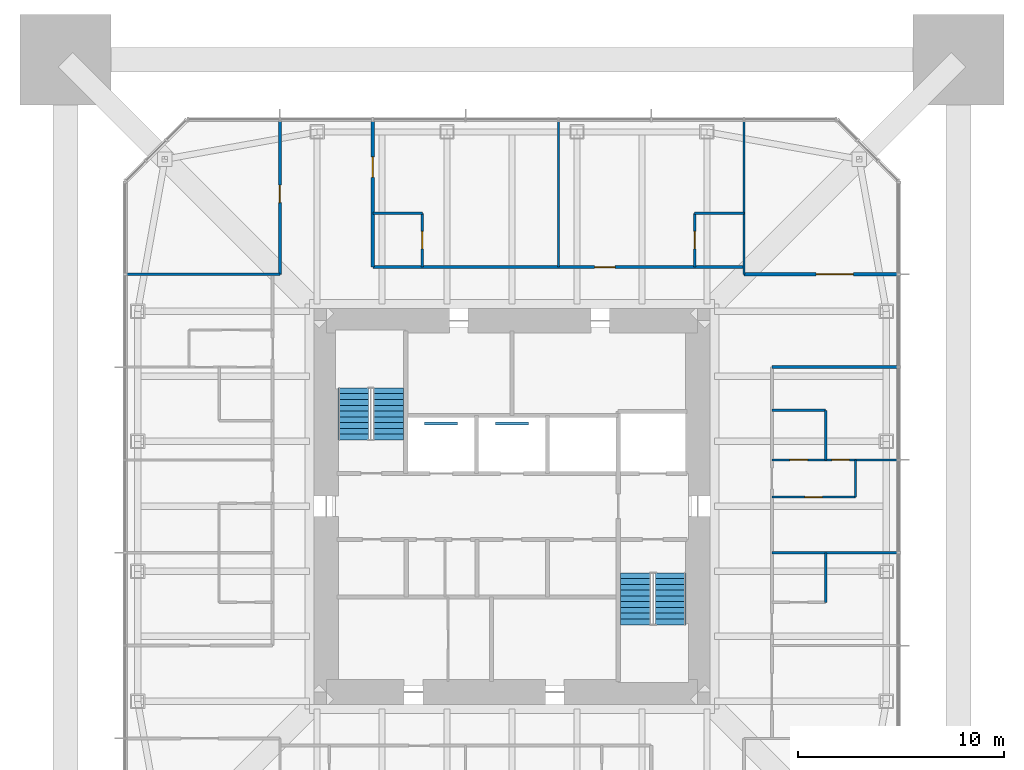
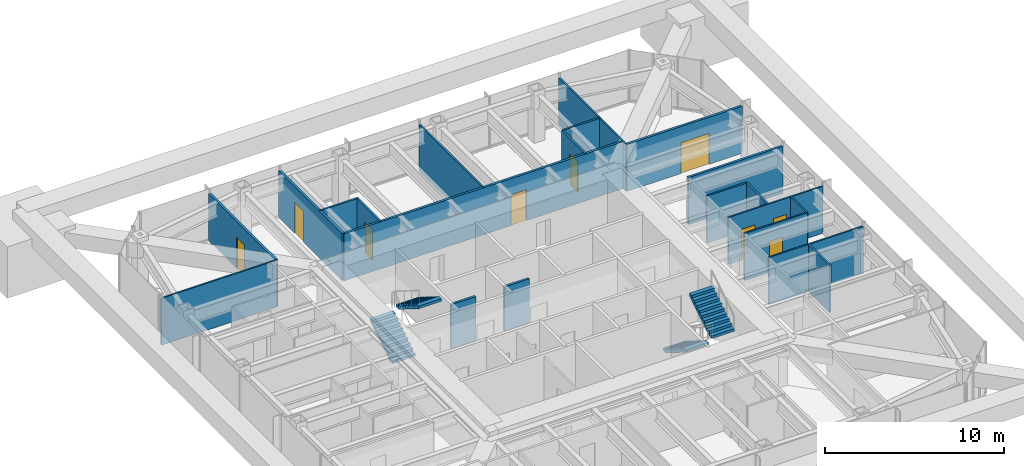
# One storey, part 12 of 15: 19 walls, 9 doors, 4 stair flights, 2 discrete accessories, 9 openings, 2 elements without a shape of their own.
"""IFC4 building model written with IfcOpenShell, lengths in metres."""

from ifc_helpers import new_model, si_unit, direction, frame, frame_2d, origin, origin_2d, place, context, subcontext, project, spatial, polyline, rectangle, outline, extrude, material, layer, layer_set, constituent, constituent_set, type_object, element, fill, aggregate, save


model = new_model("IFC4")

# Units and contexts
model_context = context("Model", 3, precision=1e-05, world=origin(), true_north=direction((0.0, 1.0)))
body_context = subcontext(model_context, "Body", "Model", "MODEL_VIEW")
ifc_project = project(units=[si_unit("LENGTHUNIT", "METRE"), si_unit("AREAUNIT", "SQUARE_METRE"), si_unit("VOLUMEUNIT", "CUBIC_METRE"), si_unit("PLANEANGLEUNIT", "RADIAN"), si_unit("MASSUNIT", "GRAM", prefix="KILO")], contexts=[model_context])

# Site, building, storey
site_placement = place(None, origin())
site = spatial("IfcSite", under=ifc_project, at=site_placement, CompositionType="ELEMENT")
building_placement = place(site_placement, origin())
building = spatial("IfcBuilding", under=site, at=building_placement, Name="Iwan Alto Co-Living Towers", CompositionType="ELEMENT")
storey_placement = place(building_placement, frame((0.0, 0.0, 205.5)))
storey = spatial("IfcBuildingStorey", under=building, at=storey_placement, Name="L56", CompositionType="ELEMENT", Elevation=205.5)

# Wall
ifc_material_1 = material(Name="Gypsum board")
ifc_layer_1 = layer(ifc_material_1, 0.02490234375, Name="Board", Category="Finish")
ifc_material_2 = material(Name="Steel ASTM A1003 ST33H cold-formed studs", Category="steel")
ifc_layer_2 = layer(ifc_material_2, 0.10009765625, Name="Studs", Category="Framing")
ifc_layer_3 = layer(ifc_material_1, 0.02490234375, Name="Board", Category="Finish")
ifc_layer_set_1 = layer_set([ifc_layer_1, ifc_layer_2, ifc_layer_3], Name="CORRIDOR WALL 150")
wall_type_1 = type_object("IfcWallType", Name="CORRIDOR WALL 150", PredefinedType="PARTITIONING", material=ifc_layer_set_1)
wall_1_placement = place(storey_placement, frame((12.60009765625, 6.75, 0.0), z_axis=(0.0, 0.0, 1.0), x_axis=(1.0, 0.0, 0.0)))
element("IfcWall", 1, at=wall_1_placement, inside=storey, type_object=wall_type_1, Name="Partition L56", PredefinedType="PARTITIONING", context=body_context, shape_type="SweptSolid", body=[
    extrude(rectangle(XDim=6.08984375, YDim=0.14990234375, at=frame_2d((3.044921875, 0.0))), origin(), (0.0, 0.0, 1.0), 3.199951171875),
])

# Wall, opening, door
wall_2_placement = place(storey_placement, frame((11.25, 11.25, 0.0), z_axis=(0.0, 0.0, 1.0), x_axis=(1.0, 0.0, 0.0)))
wall_2 = element("IfcWall", 2, at=wall_2_placement, inside=storey, type_object=wall_type_1, Name="Partition L56", PredefinedType="PARTITIONING", context=body_context, shape_type="SweptSolid", body=[
    extrude(rectangle(XDim=7.43994140625, YDim=0.14990234375, at=frame_2d((3.719970703125, 0.0))), origin(), (0.0, 0.0, 1.0), 3.199951171875),
])
opening_1_placement = place(wall_2_placement, frame((3.4951171875, 0.0, 0.0)))
opening_1 = element("IfcOpeningElement", 3, at=opening_1_placement, cuts=wall_2, Name="Opening D9", PredefinedType="OPENING", context=body_context, shape_type="SweptSolid", body=[
    extrude(rectangle(XDim=1.800048828125, YDim=2.10009765625, at=frame_2d((0.89990234375, 1.050048828125))), frame((0.0, 0.0849609375, 0.0), z_axis=(0.0, -1.0, 0.0), x_axis=(1.0, 0.0, 0.0)), (0.0, 0.0, 1.0), 0.169921875),
])
ifc_material_3 = material(Name="Steel frame with timber leaf", Category="steel")
door_type_1 = type_object("IfcDoorType", Name="LOUNGE DOOR FD30S 1800X2100", OperationType="DOUBLE_DOOR_SINGLE_SWING", PredefinedType="DOOR", material=ifc_material_3)
door_1_placement = place(opening_1_placement, origin())
door_1 = element("IfcDoor", 4, at=door_1_placement, inside=storey, type_object=door_type_1, Name="Study lounge door L56", OperationType="DOUBLE_DOOR_SINGLE_SWING", OverallHeight=2.10009765625, OverallWidth=1.800048828125, PredefinedType="DOOR", context=body_context, shape_type="SweptSolid", body=[
    extrude(rectangle(XDim=1.800048828125, YDim=2.10009765625, at=frame_2d((0.89990234375, 1.050048828125))), frame((0.0, 0.02490234375, 0.0), z_axis=(0.0, -1.0, 0.0), x_axis=(1.0, 0.0, 0.0)), (0.0, 0.0, 1.0), 0.050048828125),
])
fill(opening_1, door_1)

wall_3_placement = place(storey_placement, frame((-6.75, 11.60009765625, 0.0), z_axis=(0.0, 0.0, 1.0), x_axis=(1.0, 0.0, 0.0)))
wall_3 = element("IfcWall", 5, at=wall_3_placement, inside=storey, type_object=wall_type_1, Name="Partition L56", PredefinedType="PARTITIONING", context=body_context, shape_type="SweptSolid", body=[
    extrude(rectangle(XDim=18.0, YDim=0.14990234375, at=frame_2d((9.0, 0.0))), origin(), (0.0, 0.0, 1.0), 3.199951171875),
])
opening_2_placement = place(wall_3_placement, frame((10.75, 0.0, 0.0)))
opening_2 = element("IfcOpeningElement", 6, at=opening_2_placement, cuts=wall_3, Name="Opening D3", PredefinedType="OPENING", context=body_context, shape_type="SweptSolid", body=[
    extrude(rectangle(XDim=1.0, YDim=2.10009765625, at=frame_2d((0.5, 1.050048828125))), frame((0.0, 0.0849609375, 0.0), z_axis=(0.0, -1.0, 0.0), x_axis=(1.0, 0.0, 0.0)), (0.0, 0.0, 1.0), 0.169921875),
])
ifc_material_4 = material(Name="Steel frame with timber leaf", Category="steel")
door_type_2 = type_object("IfcDoorType", Name="FLAT ENTRANCE DOOR FD30S 1000X2100", OperationType="SINGLE_SWING_LEFT", PredefinedType="DOOR", material=ifc_material_4)
door_2_placement = place(opening_2_placement, origin())
door_2 = element("IfcDoor", 7, at=door_2_placement, inside=storey, type_object=door_type_2, Name="Studio door L56", OperationType="SINGLE_SWING_LEFT", OverallHeight=2.10009765625, OverallWidth=1.0, PredefinedType="DOOR", context=body_context, shape_type="SweptSolid", body=[
    extrude(rectangle(XDim=1.0, YDim=2.10009765625, at=frame_2d((0.5, 1.050048828125))), frame((0.0, 0.02490234375, 0.0), z_axis=(0.0, -1.0, 0.0), x_axis=(1.0, 0.0, 0.0)), (0.0, 0.0, 1.0), 0.050048828125),
])
fill(opening_2, door_2)

wall_4_placement = place(storey_placement, frame((-6.75, 11.60009765625, 0.0), z_axis=(0.0, 0.0, 1.0), x_axis=(0.0, 1.0, 0.0)))
wall_4 = element("IfcWall", 8, at=wall_4_placement, inside=storey, type_object=wall_type_1, Name="Partition L56", PredefinedType="PARTITIONING", context=body_context, shape_type="SweptSolid", body=[
    extrude(rectangle(XDim=7.08984375, YDim=0.14990234375, at=frame_2d((3.544921875, 0.0))), origin(), (0.0, 0.0, 1.0), 3.199951171875),
])
opening_3_placement = place(wall_4_placement, frame((4.344970703125, 0.0, 0.0)))
opening_3 = element("IfcOpeningElement", 9, at=opening_3_placement, cuts=wall_4, Name="Opening D3", PredefinedType="OPENING", context=body_context, shape_type="SweptSolid", body=[
    extrude(rectangle(XDim=1.0, YDim=2.10009765625, at=frame_2d((0.5, 1.050048828125))), frame((0.0, 0.0849609375, 0.0), z_axis=(0.0, -1.0, 0.0), x_axis=(1.0, 0.0, 0.0)), (0.0, 0.0, 1.0), 0.169921875),
])
door_3_placement = place(opening_3_placement, frame((1.0, 0.0, 0.0), z_axis=(0.0, 0.0, 1.0), x_axis=(-1.0, 0.0, 0.0)))
door_3 = element("IfcDoor", 10, at=door_3_placement, inside=storey, type_object=door_type_2, Name="Studio door L56", OperationType="SINGLE_SWING_RIGHT", OverallHeight=2.10009765625, OverallWidth=1.0, PredefinedType="DOOR", context=body_context, shape_type="SweptSolid", body=[
    extrude(rectangle(XDim=1.0, YDim=2.10009765625, at=frame_2d((0.5, 1.050048828125))), frame((0.0, 0.02490234375, 0.0), z_axis=(0.0, -1.0, 0.0), x_axis=(1.0, 0.0, 0.0)), (0.0, 0.0, 1.0), 0.050048828125),
])
fill(opening_3, door_3)

wall_5_placement = place(storey_placement, frame((-11.25, 11.25, 0.0), z_axis=(0.0, 0.0, 1.0), x_axis=(0.0, 1.0, 0.0)))
wall_5 = element("IfcWall", 11, at=wall_5_placement, inside=storey, type_object=wall_type_1, Name="Partition L56", PredefinedType="PARTITIONING", context=body_context, shape_type="SweptSolid", body=[
    extrude(rectangle(XDim=7.43994140625, YDim=0.14990234375, at=frame_2d((3.719970703125, 0.0))), origin(), (0.0, 0.0, 1.0), 3.199951171875),
])
opening_4_placement = place(wall_5_placement, frame((3.469970703125, 0.0, 0.0)))
opening_4 = element("IfcOpeningElement", 12, at=opening_4_placement, cuts=wall_5, Name="Opening D2", PredefinedType="OPENING", context=body_context, shape_type="SweptSolid", body=[
    extrude(rectangle(XDim=0.85009765625, YDim=2.10009765625, at=frame_2d((0.425048828125, 1.050048828125))), frame((0.0, 0.0849609375, 0.0), z_axis=(0.0, -1.0, 0.0), x_axis=(1.0, 0.0, 0.0)), (0.0, 0.0, 1.0), 0.169921875),
])
ifc_material_5 = material(Name="Timber leaf in steel frame", Category="steel")
door_type_3 = type_object("IfcDoorType", Name="ROOM DOOR 850X2100", OperationType="SINGLE_SWING_LEFT", PredefinedType="DOOR", material=ifc_material_5)
door_4_placement = place(opening_4_placement, origin())
door_4 = element("IfcDoor", 13, at=door_4_placement, inside=storey, type_object=door_type_3, Name="Shared kitchen and lounge door L56", OperationType="SINGLE_SWING_RIGHT", OverallHeight=2.10009765625, OverallWidth=0.85009765625, PredefinedType="DOOR", context=body_context, shape_type="SweptSolid", body=[
    extrude(rectangle(XDim=0.85009765625, YDim=2.10009765625, at=frame_2d((0.425048828125, 1.050048828125))), frame((0.0, 0.02490234375, 0.0), z_axis=(0.0, -1.0, 0.0), x_axis=(1.0, 0.0, 0.0)), (0.0, 0.0, 1.0), 0.050048828125),
])
fill(opening_4, door_4)

# Wall
ifc_layer_4 = layer(ifc_material_1, 0.012451171875, Name="Board", Category="Finish")
ifc_layer_5 = layer(ifc_material_2, 0.074951171875, Name="Studs", Category="Framing")
ifc_layer_6 = layer(ifc_material_1, 0.012451171875, Name="Board", Category="Finish")
ifc_layer_set_2 = layer_set([ifc_layer_4, ifc_layer_5, ifc_layer_6], Name="PARTITION 100")
wall_type_2 = type_object("IfcWallType", Name="PARTITION 100", PredefinedType="PARTITIONING", material=ifc_layer_set_2)
wall_6_placement = place(storey_placement, frame((12.60009765625, -2.25, 0.0), z_axis=(0.0, 0.0, 1.0), x_axis=(1.0, 0.0, 0.0)))
element("IfcWall", 14, at=wall_6_placement, inside=storey, type_object=wall_type_2, Name="Partition L56", PredefinedType="PARTITIONING", context=body_context, shape_type="SweptSolid", body=[
    extrude(rectangle(XDim=6.08984375, YDim=0.10009765625, at=frame_2d((3.044921875, 0.0))), origin(), (0.0, 0.0, 1.0), 3.199951171875),
])

# Wall, opening, door
wall_7_placement = place(storey_placement, frame((12.60009765625, 0.449951171875, 0.0), z_axis=(0.0, 0.0, 1.0), x_axis=(1.0, 0.0, 0.0)))
wall_7 = element("IfcWall", 15, at=wall_7_placement, inside=storey, type_object=wall_type_2, Name="Partition L56", PredefinedType="PARTITIONING", context=body_context, shape_type="SweptSolid", body=[
    extrude(rectangle(XDim=4.0498046875, YDim=0.10009765625, at=frame_2d((2.02490234375, 0.0))), origin(), (0.0, 0.0, 1.0), 3.199951171875),
])
opening_5_placement = place(wall_7_placement, frame((1.60009765625, 0.0, 0.0)))
opening_5 = element("IfcOpeningElement", 16, at=opening_5_placement, cuts=wall_7, Name="Opening D2", PredefinedType="OPENING", context=body_context, shape_type="SweptSolid", body=[
    extrude(rectangle(XDim=0.85009765625, YDim=2.10009765625, at=frame_2d((0.425048828125, 1.050048828125))), frame((0.0, 0.06005859375, 0.0), z_axis=(0.0, -1.0, 0.0), x_axis=(1.0, 0.0, 0.0)), (0.0, 0.0, 1.0), 0.1201171875),
])
door_5_placement = place(opening_5_placement, frame((0.85009765625, 0.0, 0.0), z_axis=(0.0, 0.0, 1.0), x_axis=(-1.0, 0.0, 0.0)))
door_5 = element("IfcDoor", 17, at=door_5_placement, inside=storey, type_object=door_type_3, Name="Apartment foyer door L56", OperationType="SINGLE_SWING_RIGHT", OverallHeight=2.10009765625, OverallWidth=0.85009765625, PredefinedType="DOOR", context=body_context, shape_type="SweptSolid", body=[
    extrude(rectangle(XDim=0.85009765625, YDim=2.10009765625, at=frame_2d((0.425048828125, 1.050048828125))), frame((0.0, 0.02490234375, 0.0), z_axis=(0.0, -1.0, 0.0), x_axis=(1.0, 0.0, 0.0)), (0.0, 0.0, 1.0), 0.050048828125),
])
fill(opening_5, door_5)

# Wall, openings, doors
wall_8_placement = place(storey_placement, frame((12.60009765625, 2.25, 0.0), z_axis=(0.0, 0.0, 1.0), x_axis=(1.0, 0.0, 0.0)))
wall_8 = element("IfcWall", 18, at=wall_8_placement, inside=storey, type_object=wall_type_2, Name="Partition L56", PredefinedType="PARTITIONING", context=body_context, shape_type="SweptSolid", body=[
    extrude(rectangle(XDim=6.08984375, YDim=0.10009765625, at=frame_2d((3.044921875, 0.0))), origin(), (0.0, 0.0, 1.0), 3.199951171875),
])
opening_6_placement = place(wall_8_placement, frame((2.89990234375, 0.0, 0.0)))
opening_6 = element("IfcOpeningElement", 19, at=opening_6_placement, cuts=wall_8, Name="Opening D2", PredefinedType="OPENING", context=body_context, shape_type="SweptSolid", body=[
    extrude(rectangle(XDim=0.85009765625, YDim=2.10009765625, at=frame_2d((0.425048828125, 1.050048828125))), frame((0.0, 0.06005859375, 0.0), z_axis=(0.0, -1.0, 0.0), x_axis=(1.0, 0.0, 0.0)), (0.0, 0.0, 1.0), 0.1201171875),
])
opening_7_placement = place(wall_8_placement, frame((0.875, 0.0, 0.0)))
opening_7 = element("IfcOpeningElement", 20, at=opening_7_placement, cuts=wall_8, Name="Opening D2", PredefinedType="OPENING", context=body_context, shape_type="SweptSolid", body=[
    extrude(rectangle(XDim=0.85009765625, YDim=2.10009765625, at=frame_2d((0.425048828125, 1.050048828125))), frame((0.0, 0.06005859375, 0.0), z_axis=(0.0, -1.0, 0.0), x_axis=(1.0, 0.0, 0.0)), (0.0, 0.0, 1.0), 0.1201171875),
])
door_6_placement = place(opening_6_placement, origin())
door_6 = element("IfcDoor", 21, at=door_6_placement, inside=storey, type_object=door_type_3, Name="Bedroom door L56", OperationType="SINGLE_SWING_LEFT", OverallHeight=2.10009765625, OverallWidth=0.85009765625, PredefinedType="DOOR", context=body_context, shape_type="SweptSolid", body=[
    extrude(rectangle(XDim=0.85009765625, YDim=2.10009765625, at=frame_2d((0.425048828125, 1.050048828125))), frame((0.0, 0.02490234375, 0.0), z_axis=(0.0, -1.0, 0.0), x_axis=(1.0, 0.0, 0.0)), (0.0, 0.0, 1.0), 0.050048828125),
])
fill(opening_6, door_6)
door_7_placement = place(opening_7_placement, origin())
door_7 = element("IfcDoor", 22, at=door_7_placement, inside=storey, type_object=door_type_3, Name="Bathroom door L56", OperationType="SINGLE_SWING_LEFT", OverallHeight=2.10009765625, OverallWidth=0.85009765625, PredefinedType="DOOR", context=body_context, shape_type="SweptSolid", body=[
    extrude(rectangle(XDim=0.85009765625, YDim=2.10009765625, at=frame_2d((0.425048828125, 1.050048828125))), frame((0.0, 0.02490234375, 0.0), z_axis=(0.0, -1.0, 0.0), x_axis=(1.0, 0.0, 0.0)), (0.0, 0.0, 1.0), 0.050048828125),
])
fill(opening_7, door_7)

# Walls
wall_9_placement = place(storey_placement, frame((-18.68994140625, 11.25, 0.0), z_axis=(0.0, 0.0, 1.0), x_axis=(1.0, 0.0, 0.0)))
element("IfcWall", 23, at=wall_9_placement, inside=storey, type_object=wall_type_2, Name="Partition L56", PredefinedType="PARTITIONING", context=body_context, shape_type="SweptSolid", body=[
    extrude(rectangle(XDim=7.43994140625, YDim=0.10009765625, at=frame_2d((3.719970703125, 0.0))), origin(), (0.0, 0.0, 1.0), 3.199951171875),
])
wall_10_placement = place(storey_placement, frame((16.64990234375, 0.449951171875, 0.0), z_axis=(0.0, 0.0, 1.0), x_axis=(0.0, 1.0, 0.0)))
element("IfcWall", 24, at=wall_10_placement, inside=storey, type_object=wall_type_2, Name="Partition L56", PredefinedType="PARTITIONING", context=body_context, shape_type="SweptSolid", body=[
    extrude(rectangle(XDim=1.800048828125, YDim=0.10009765625, at=frame_2d((0.89990234375, 0.0))), origin(), (0.0, 0.0, 1.0), 3.199951171875),
])
wall_11_placement = place(storey_placement, frame((11.25, 11.25, 0.0), z_axis=(0.0, 0.0, 1.0), x_axis=(0.0, 1.0, 0.0)))
element("IfcWall", 25, at=wall_11_placement, inside=storey, type_object=wall_type_2, Name="Partition L56", PredefinedType="PARTITIONING", context=body_context, shape_type="SweptSolid", body=[
    extrude(rectangle(XDim=7.43994140625, YDim=0.10009765625, at=frame_2d((3.719970703125, 0.0))), origin(), (0.0, 0.0, 1.0), 3.199951171875),
])
wall_12_placement = place(storey_placement, frame((2.25, 11.60009765625, 0.0), z_axis=(0.0, 0.0, 1.0), x_axis=(0.0, 1.0, 0.0)))
element("IfcWall", 26, at=wall_12_placement, inside=storey, type_object=wall_type_2, Name="Partition L56", PredefinedType="PARTITIONING", context=body_context, shape_type="SweptSolid", body=[
    extrude(rectangle(XDim=7.08984375, YDim=0.10009765625, at=frame_2d((3.544921875, 0.0))), origin(), (0.0, 0.0, 1.0), 3.199951171875),
])
ifc_material_6 = material(Name="Cement board")
ifc_layer_7 = layer(ifc_material_6, 0.012451171875, Name="Board", Category="Finish")
ifc_layer_8 = layer(ifc_material_2, 0.094970703125, Name="Studs", Category="Framing")
ifc_layer_9 = layer(ifc_material_6, 0.012451171875, Name="Board", Category="Finish")
ifc_layer_set_3 = layer_set([ifc_layer_7, ifc_layer_8, ifc_layer_9], Name="WET AREA PARTITION 120")
wall_type_3 = type_object("IfcWallType", Name="WET AREA PARTITION 120", PredefinedType="PARTITIONING", material=ifc_layer_set_3)
wall_13_placement = place(storey_placement, frame((12.60009765625, 4.64990234375, 0.0), z_axis=(0.0, 0.0, 1.0), x_axis=(1.0, 0.0, 0.0)))
element("IfcWall", 27, at=wall_13_placement, inside=storey, type_object=wall_type_3, Name="Partition L56", PredefinedType="PARTITIONING", context=body_context, shape_type="SweptSolid", body=[
    extrude(rectangle(XDim=2.599853515625, YDim=0.1201171875, at=frame_2d((1.2998046875, 0.0))), origin(), (0.0, 0.0, 1.0), 3.199951171875),
])
for number, where, z_axis, x_axis, name in (
    (28, (-6.75, 14.199951171875, 0.0), (0.0, 0.0, 1.0), (1.0, 0.0, 0.0), "Partition L56"),
    (29, (8.85009765625, 14.199951171875, 0.0), (0.0, 0.0, 1.0), (1.0, 0.0, 0.0), "Partition L56"),
    (30, (15.199951171875, -4.64990234375, 0.0), (0.0, 0.0, 1.0), (0.0, 1.0, 0.0), "Partition L56"),
    (31, (15.199951171875, 2.25, 0.0), (0.0, 0.0, 1.0), (0.0, 1.0, 0.0), "Partition L56"),
):
    element("IfcWall", number, at=place(storey_placement, frame(where, z_axis=z_axis, x_axis=x_axis)), inside=storey, type_object=wall_type_3, Name=name, PredefinedType="PARTITIONING", context=body_context, shape_type="SweptSolid", body=[
        extrude(rectangle(XDim=2.39990234375, YDim=0.1201171875, at=frame_2d((1.199951171875, 0.0))), origin(), (0.0, 0.0, 1.0), 3.199951171875),
    ])

# Wall, opening, door
wall_14_placement = place(storey_placement, frame((8.85009765625, 11.60009765625, 0.0), z_axis=(0.0, 0.0, 1.0), x_axis=(0.0, 1.0, 0.0)))
wall_14 = element("IfcWall", 32, at=wall_14_placement, inside=storey, type_object=wall_type_3, Name="Partition L56", PredefinedType="PARTITIONING", context=body_context, shape_type="SweptSolid", body=[
    extrude(rectangle(XDim=2.599853515625, YDim=0.1201171875, at=frame_2d((1.2998046875, 0.0))), origin(), (0.0, 0.0, 1.0), 3.199951171875),
])
opening_8_placement = place(wall_14_placement, frame((0.875, 0.0, 0.0)))
opening_8 = element("IfcOpeningElement", 33, at=opening_8_placement, cuts=wall_14, Name="Opening D2", PredefinedType="OPENING", context=body_context, shape_type="SweptSolid", body=[
    extrude(rectangle(XDim=0.85009765625, YDim=2.10009765625, at=frame_2d((0.425048828125, 1.050048828125))), frame((0.0, 0.070068359375, 0.0), z_axis=(0.0, -1.0, 0.0), x_axis=(1.0, 0.0, 0.0)), (0.0, 0.0, 1.0), 0.14013671875),
])
door_8_placement = place(opening_8_placement, origin())
door_8 = element("IfcDoor", 34, at=door_8_placement, inside=storey, type_object=door_type_3, Name="En-suite shower room door L56", OperationType="SINGLE_SWING_LEFT", OverallHeight=2.10009765625, OverallWidth=0.85009765625, PredefinedType="DOOR", context=body_context, shape_type="SweptSolid", body=[
    extrude(rectangle(XDim=0.85009765625, YDim=2.10009765625, at=frame_2d((0.425048828125, 1.050048828125))), frame((0.0, 0.02490234375, 0.0), z_axis=(0.0, -1.0, 0.0), x_axis=(1.0, 0.0, 0.0)), (0.0, 0.0, 1.0), 0.050048828125),
])
fill(opening_8, door_8)

wall_15_placement = place(storey_placement, frame((-4.35009765625, 11.60009765625, 0.0), z_axis=(0.0, 0.0, 1.0), x_axis=(0.0, 1.0, 0.0)))
wall_15 = element("IfcWall", 35, at=wall_15_placement, inside=storey, type_object=wall_type_3, Name="Partition L56", PredefinedType="PARTITIONING", context=body_context, shape_type="SweptSolid", body=[
    extrude(rectangle(XDim=2.599853515625, YDim=0.1201171875, at=frame_2d((1.2998046875, 0.0))), origin(), (0.0, 0.0, 1.0), 3.199951171875),
])
opening_9_placement = place(wall_15_placement, frame((0.875, 0.0, 0.0)))
opening_9 = element("IfcOpeningElement", 36, at=opening_9_placement, cuts=wall_15, Name="Opening D2", PredefinedType="OPENING", context=body_context, shape_type="SweptSolid", body=[
    extrude(rectangle(XDim=0.85009765625, YDim=2.10009765625, at=frame_2d((0.425048828125, 1.050048828125))), frame((0.0, 0.070068359375, 0.0), z_axis=(0.0, -1.0, 0.0), x_axis=(1.0, 0.0, 0.0)), (0.0, 0.0, 1.0), 0.14013671875),
])
door_9_placement = place(opening_9_placement, frame((0.85009765625, 0.0, 0.0), z_axis=(0.0, 0.0, 1.0), x_axis=(-1.0, 0.0, 0.0)))
door_9 = element("IfcDoor", 37, at=door_9_placement, inside=storey, type_object=door_type_3, Name="En-suite shower room door L56", OperationType="SINGLE_SWING_RIGHT", OverallHeight=2.10009765625, OverallWidth=0.85009765625, PredefinedType="DOOR", context=body_context, shape_type="SweptSolid", body=[
    extrude(rectangle(XDim=0.85009765625, YDim=2.10009765625, at=frame_2d((0.425048828125, 1.050048828125))), frame((0.0, 0.02490234375, 0.0), z_axis=(0.0, -1.0, 0.0), x_axis=(1.0, 0.0, 0.0)), (0.0, 0.0, 1.0), 0.050048828125),
])
fill(opening_9, door_9)

# Stair, stair flights
ifc_material_7 = material(Name="Steel ASTM A36", Category="steel")
ifc_constituent_1 = constituent(ifc_material_7, Name="Stringers", Category="LoadBearing")
ifc_material_8 = material(Name="Concrete f'c 30 MPa", Category="concrete")
ifc_constituent_2 = constituent(ifc_material_8, Name="Tread fill", Category="Finish")
ifc_constituent_set_1 = constituent_set(constituents=[ifc_constituent_1, ifc_constituent_2], Name="STAIR 3500 TWO-FLIGHT T1 CORE")
stair_type = type_object("IfcStairType", Name="STAIR 3500 TWO-FLIGHT T1 CORE", PredefinedType="HALF_TURN_STAIR", material=ifc_constituent_set_1)
stair_1_placement = place(storey_placement, origin())
stair_1 = element("IfcStair", 38, at=stair_1_placement, inside=storey, type_object=stair_type, Name="Stair T1-S1 L56 to L57", PredefinedType="HALF_TURN_STAIR")
ifc_constituent_3 = constituent(ifc_material_7, Name="Stringers", Category="LoadBearing")
ifc_constituent_4 = constituent(ifc_material_8, Name="Tread fill", Category="Finish")
ifc_constituent_set_2 = constituent_set(constituents=[ifc_constituent_3, ifc_constituent_4], Name="STAIR FLIGHT 10 RISERS 280 GOING")
stair_flight_type = type_object("IfcStairFlightType", Name="STAIR FLIGHT 10 RISERS 280 GOING", PredefinedType="STRAIGHT", material=ifc_constituent_set_2)
stair_flight_1_placement = place(storey_placement, frame((-7.68994140625, 3.219970703125, 0.0), z_axis=(0.0, 0.0, 1.0), x_axis=(0.0, 1.0, 0.0)))
stair_flight_1 = element("IfcStairFlight", 39, at=stair_flight_1_placement, type_object=stair_flight_type, Name="T1-S1 flight 1", NumberOfRisers=10, NumberOfTreads=9, PredefinedType="STRAIGHT", RiserHeight=0.175, TreadLength=0.28, context=body_context, shape_type="SweptSolid", body=[
    extrude(outline(polyline([(0.0, 0.0), (0.0, 0.175048828125), (0.280029296875, 0.175048828125), (0.280029296875, 0.35009765625), (0.56005859375, 0.35009765625), (0.56005859375, 0.52490234375), (0.840087890625, 0.52490234375), (0.840087890625, 0.699951171875), (1.1201171875, 0.699951171875), (1.1201171875, 0.875), (1.39990234375, 0.875), (1.39990234375, 1.050048828125), (1.679931640625, 1.050048828125), (1.679931640625, 1.22509765625), (1.9599609375, 1.22509765625), (1.9599609375, 1.39990234375), (2.239990234375, 1.39990234375), (2.239990234375, 1.574951171875), (2.52001953125, 1.574951171875), (2.52001953125, 1.75), (2.52001953125, 1.398193359375), (0.28271484375, 0.0), (0.0, 0.0)])), frame((0.0, 0.739990234375, 0.0), z_axis=(0.0, -1.0, 0.0), x_axis=(1.0, 0.0, 0.0)), (0.0, 0.0, 1.0), 1.47998046875),
])
stair_flight_2_placement = place(storey_placement, frame((-6.010009765625, 5.739990234375, 1.75), z_axis=(0.0, 0.0, 1.0), x_axis=(0.0, -1.0, 0.0)))
stair_flight_2 = element("IfcStairFlight", 40, at=stair_flight_2_placement, type_object=stair_flight_type, Name="T1-S1 flight 2", NumberOfRisers=10, NumberOfTreads=9, PredefinedType="STRAIGHT", RiserHeight=0.175, TreadLength=0.28, context=body_context, shape_type="SweptSolid", body=[
    extrude(outline(polyline([(0.0, 0.0), (0.0, 0.175048828125), (0.280029296875, 0.175048828125), (0.280029296875, 0.35009765625), (0.56005859375, 0.35009765625), (0.56005859375, 0.52490234375), (0.840087890625, 0.52490234375), (0.840087890625, 0.699951171875), (1.1201171875, 0.699951171875), (1.1201171875, 0.875), (1.39990234375, 0.875), (1.39990234375, 1.050048828125), (1.679931640625, 1.050048828125), (1.679931640625, 1.22509765625), (1.9599609375, 1.22509765625), (1.9599609375, 1.39990234375), (2.239990234375, 1.39990234375), (2.239990234375, 1.574951171875), (2.52001953125, 1.574951171875), (2.52001953125, 1.75), (2.52001953125, 1.398193359375), (0.28271484375, 0.0), (0.0, 0.0)])), frame((0.0, 0.739990234375, 0.0), z_axis=(0.0, -1.0, 0.0), x_axis=(1.0, 0.0, 0.0)), (0.0, 0.0, 1.0), 1.47998046875),
])
aggregate(stair_1, [stair_flight_1, stair_flight_2])

stair_2_placement = place(storey_placement, origin())
stair_2 = element("IfcStair", 41, at=stair_2_placement, inside=storey, type_object=stair_type, Name="Stair T1-S2 L56 to L57", PredefinedType="HALF_TURN_STAIR")
stair_flight_3_placement = place(storey_placement, frame((6.010009765625, -3.219970703125, 0.0), z_axis=(0.0, 0.0, 1.0), x_axis=(0.0, -1.0, 0.0)))
stair_flight_3 = element("IfcStairFlight", 42, at=stair_flight_3_placement, type_object=stair_flight_type, Name="T1-S2 flight 1", NumberOfRisers=10, NumberOfTreads=9, PredefinedType="STRAIGHT", RiserHeight=0.175, TreadLength=0.28, context=body_context, shape_type="SweptSolid", body=[
    extrude(outline(polyline([(0.0, 0.0), (0.0, 0.175048828125), (0.280029296875, 0.175048828125), (0.280029296875, 0.35009765625), (0.56005859375, 0.35009765625), (0.56005859375, 0.52490234375), (0.840087890625, 0.52490234375), (0.840087890625, 0.699951171875), (1.1201171875, 0.699951171875), (1.1201171875, 0.875), (1.39990234375, 0.875), (1.39990234375, 1.050048828125), (1.679931640625, 1.050048828125), (1.679931640625, 1.22509765625), (1.9599609375, 1.22509765625), (1.9599609375, 1.39990234375), (2.239990234375, 1.39990234375), (2.239990234375, 1.574951171875), (2.52001953125, 1.574951171875), (2.52001953125, 1.75), (2.52001953125, 1.398193359375), (0.28271484375, 0.0), (0.0, 0.0)])), frame((0.0, 0.739990234375, 0.0), z_axis=(0.0, -1.0, 0.0), x_axis=(1.0, 0.0, 0.0)), (0.0, 0.0, 1.0), 1.47998046875),
])
stair_flight_4_placement = place(storey_placement, frame((7.68994140625, -5.739990234375, 1.75), z_axis=(0.0, 0.0, 1.0), x_axis=(0.0, 1.0, 0.0)))
stair_flight_4 = element("IfcStairFlight", 43, at=stair_flight_4_placement, type_object=stair_flight_type, Name="T1-S2 flight 2", NumberOfRisers=10, NumberOfTreads=9, PredefinedType="STRAIGHT", RiserHeight=0.175, TreadLength=0.28, context=body_context, shape_type="SweptSolid", body=[
    extrude(outline(polyline([(0.0, 0.0), (0.0, 0.175048828125), (0.280029296875, 0.175048828125), (0.280029296875, 0.35009765625), (0.56005859375, 0.35009765625), (0.56005859375, 0.52490234375), (0.840087890625, 0.52490234375), (0.840087890625, 0.699951171875), (1.1201171875, 0.699951171875), (1.1201171875, 0.875), (1.39990234375, 0.875), (1.39990234375, 1.050048828125), (1.679931640625, 1.050048828125), (1.679931640625, 1.22509765625), (1.9599609375, 1.22509765625), (1.9599609375, 1.39990234375), (2.239990234375, 1.39990234375), (2.239990234375, 1.574951171875), (2.52001953125, 1.574951171875), (2.52001953125, 1.75), (2.52001953125, 1.398193359375), (0.28271484375, 0.0), (0.0, 0.0)])), frame((0.0, 0.739990234375, 0.0), z_axis=(0.0, -1.0, 0.0), x_axis=(1.0, 0.0, 0.0)), (0.0, 0.0, 1.0), 1.47998046875),
])
aggregate(stair_2, [stair_flight_3, stair_flight_4])

# Discrete accessories
placement_1 = place(building_placement, origin())
placement_2 = place(placement_1, frame((-3.43359375, 3.0, 0.0), z_axis=(0.0, 0.0, 1.0), x_axis=(1.0, 0.0, 0.0)))
discrete_accessory_1_placement = place(placement_2, origin())
element("IfcDiscreteAccessory", 44, at=discrete_accessory_1_placement, inside=storey, material=ifc_material_7, Name="Lift P3-1 counterweight", ObjectType="Lift counterweight", PredefinedType="USERDEFINED", context=body_context, shape_type="SweptSolid", body=[
    extrude(rectangle(XDim=1.6, YDim=0.15, at=origin_2d()), frame((0.0, 1.02490234375, 204.60009765625)), (0.0, 0.0, 1.0), 3.0),
])
placement_3 = place(placement_1, frame((0.0, 3.0, 0.0), z_axis=(0.0, 0.0, 1.0), x_axis=(1.0, 0.0, 0.0)))
discrete_accessory_2_placement = place(placement_3, origin())
element("IfcDiscreteAccessory", 45, at=discrete_accessory_2_placement, inside=storey, material=ifc_material_7, Name="Lift P3-2 counterweight", ObjectType="Lift counterweight", PredefinedType="USERDEFINED", context=body_context, shape_type="SweptSolid", body=[
    extrude(rectangle(XDim=1.6, YDim=0.15, at=origin_2d()), frame((0.0, 1.02490234375, 204.60009765625)), (0.0, 0.0, 1.0), 3.0),
])

save(model, "model.ifc")
